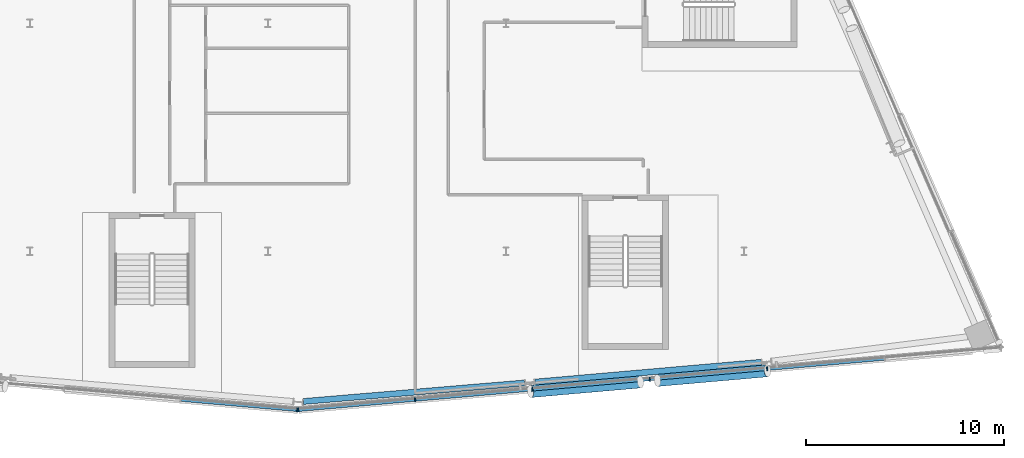
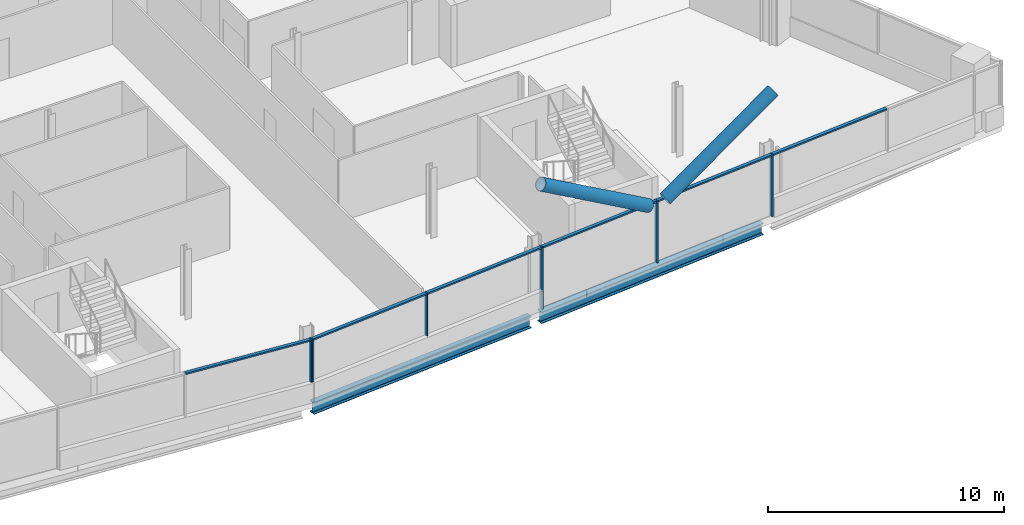
# One storey, part 8 of 26: 14 members, 2 beams, 2 elements without a shape of their own.
"""IFC4 building model written with IfcOpenShell, lengths in metres."""

from ifc_helpers import new_model, si_unit, direction, frame, origin, origin_2d, place, context, subcontext, project, spatial, rectangle, hollow_circle, i_section, extrude, material, material_profile, profile_set, type_object, element, aggregate, save


model = new_model("IFC4")

# Units and contexts
model_context = context("Model", 3, precision=1e-05, world=origin(), true_north=direction((0.0, 1.0)))
body_context = subcontext(model_context, "Body", "Model", "MODEL_VIEW")
ifc_project = project(units=[si_unit("LENGTHUNIT", "METRE"), si_unit("AREAUNIT", "SQUARE_METRE"), si_unit("VOLUMEUNIT", "CUBIC_METRE"), si_unit("PLANEANGLEUNIT", "RADIAN"), si_unit("MASSUNIT", "GRAM", prefix="KILO")], contexts=[model_context])

# Site, building, storey
site_placement = place(None, origin())
site = spatial("IfcSite", under=ifc_project, at=site_placement, CompositionType="ELEMENT")
building_placement = place(site_placement, origin())
building = spatial("IfcBuilding", under=site, at=building_placement, Name="Wharfspan Tower", CompositionType="ELEMENT")
storey_placement = place(building_placement, frame((0.0, 0.0, 235.899902)))
storey = spatial("IfcBuildingStorey", under=building, at=storey_placement, Name="L59", CompositionType="ELEMENT", Elevation=235.899902)

# Beams
ifc_material_1 = material(Name="Steel S355J2", Category="steel")
ifc_material_profile_1 = material_profile(ifc_material_1, i_section(OverallWidth=0.300049, OverallDepth=0.600098, WebThickness=0.015381, FlangeThickness=0.030029, FilletRadius=0.0271, at=origin_2d()))
ifc_profile_set_1 = profile_set([ifc_material_profile_1], Name="Steel S355J2")
beam_type = type_object("IfcBeamType", Name="Edge beam HEB 600", PredefinedType="SPANDREL", material=ifc_profile_set_1)
beam_1_placement = place(storey_placement, frame((49.783691, 3.923828, -0.699951), z_axis=(0.996517, 0.083395, 0.0), x_axis=(-0.083395, 0.996517, 0.0)))
element("IfcBeam", 1, at=beam_1_placement, inside=storey, type_object=beam_type, Name="Edge beam S2 L59 PS1.3 to PS2.1", PredefinedType="SPANDREL", context=body_context, shape_type="SweptSolid", body=[
    extrude(i_section(OverallWidth=0.300049, OverallDepth=0.600098, WebThickness=0.015381, FlangeThickness=0.030029, FilletRadius=0.0271, at=origin_2d()), origin(), (0.0, 0.0, 1.0), 11.200684),
])
beam_2_placement = place(storey_placement, frame((61.459473, 4.901855, -0.699951), z_axis=(0.996195, 0.087157, 0.0), x_axis=(-0.087157, 0.996195, 0.0)))
element("IfcBeam", 2, at=beam_2_placement, inside=storey, type_object=beam_type, Name="Edge beam S2 L59 PS2.1 to PS2.2", PredefinedType="SPANDREL", context=body_context, shape_type="SweptSolid", body=[
    extrude(i_section(OverallWidth=0.300049, OverallDepth=0.600098, WebThickness=0.015381, FlangeThickness=0.030029, FilletRadius=0.0271, at=origin_2d()), origin(), (0.0, 0.0, 1.0), 11.462402),
])

# Curtain wall, member
ifc_material_2 = material(Name="Aluminium 6063-T6", Category="aluminium")
curtain_wall_type = type_object("IfcCurtainWallType", Name="CURTAIN WALL FACETED FRONT", PredefinedType="NOTDEFINED", material=ifc_material_2)
curtain_wall_1_placement = place(storey_placement, origin())
curtain_wall_1 = element("IfcCurtainWall", 3, at=curtain_wall_1_placement, inside=storey, type_object=curtain_wall_type, Name="Curtain wall S1", PredefinedType="NOTDEFINED")
ifc_material_profile_2 = material_profile(ifc_material_2, rectangle(XDim=0.199951, YDim=0.060059, at=origin_2d()))
ifc_profile_set_2 = profile_set([ifc_material_profile_2], Name="Aluminium 6063-T6")
member_type_1 = type_object("IfcMemberType", Name="MULLION FACETED FRONT 60x200", PredefinedType="MULLION", material=ifc_profile_set_2)
member_1_placement = place(storey_placement, frame((49.470215, 3.496826, 1.0), z_axis=(0.0, 0.0, 1.0), x_axis=(0.087156, 0.996197, 0.0)))
member_1 = element("IfcMember", 4, at=member_1_placement, type_object=member_type_1, Name="Curtain wall S1 mullion 6", PredefinedType="MULLION", context=body_context, shape_type="SweptSolid", body=[
    extrude(rectangle(XDim=0.199951, YDim=0.060059, at=origin_2d()), origin(), (0.0, 0.0, 1.0), 2.200195),
])

# Curtain wall, members
curtain_wall_2_placement = place(storey_placement, origin())
curtain_wall_2 = element("IfcCurtainWall", 5, at=curtain_wall_2_placement, inside=storey, type_object=curtain_wall_type, Name="Curtain wall S2", PredefinedType="NOTDEFINED")
member_2_placement = place(storey_placement, frame((49.529785, 3.496826, 1.0), z_axis=(0.0, 0.0, 1.0), x_axis=(-0.087156, 0.996197, 0.0)))
member_2 = element("IfcMember", 6, at=member_2_placement, type_object=member_type_1, Name="Curtain wall S2 mullion 1", PredefinedType="MULLION", context=body_context, shape_type="SweptSolid", body=[
    extrude(rectangle(XDim=0.199951, YDim=0.060059, at=origin_2d()), origin(), (0.0, 0.0, 1.0), 2.200195),
])
member_3_placement = place(storey_placement, frame((55.416748, 4.011719, 1.0), z_axis=(0.0, 0.0, 1.0), x_axis=(-0.087156, 0.996197, 0.0)))
member_3 = element("IfcMember", 7, at=member_3_placement, type_object=member_type_1, Name="Curtain wall S2 mullion 2", PredefinedType="MULLION", context=body_context, shape_type="SweptSolid", body=[
    extrude(rectangle(XDim=0.199951, YDim=0.060059, at=origin_2d()), origin(), (0.0, 0.0, 1.0), 2.200195),
])
member_4_placement = place(storey_placement, frame((61.333252, 4.529541, 0.0), z_axis=(0.0, 0.0, 1.0), x_axis=(-0.087156, 0.996197, 0.0)))
member_4 = element("IfcMember", 8, at=member_4_placement, type_object=member_type_1, Name="Curtain wall S2 mullion 3", PredefinedType="MULLION", context=body_context, shape_type="SweptSolid", body=[
    extrude(rectangle(XDim=0.199951, YDim=0.060059, at=origin_2d()), origin(), (0.0, 0.0, 1.0), 3.200195),
])
member_5_placement = place(storey_placement, frame((67.25, 5.047119, 0.0), z_axis=(0.0, 0.0, 1.0), x_axis=(-0.087156, 0.996197, 0.0)))
member_5 = element("IfcMember", 9, at=member_5_placement, type_object=member_type_1, Name="Curtain wall S2 mullion 4", PredefinedType="MULLION", context=body_context, shape_type="SweptSolid", body=[
    extrude(rectangle(XDim=0.199951, YDim=0.060059, at=origin_2d()), origin(), (0.0, 0.0, 1.0), 3.200195),
])
member_6_placement = place(storey_placement, frame((73.166748, 5.564697, 0.0), z_axis=(0.0, 0.0, 1.0), x_axis=(-0.087156, 0.996197, 0.0)))
member_6 = element("IfcMember", 10, at=member_6_placement, type_object=member_type_1, Name="Curtain wall S2 mullion 5", PredefinedType="MULLION", context=body_context, shape_type="SweptSolid", body=[
    extrude(rectangle(XDim=0.199951, YDim=0.060059, at=origin_2d()), origin(), (0.0, 0.0, 1.0), 3.200195),
])

# Members
ifc_material_3 = material(Name="Steel S460NH", Category="steel")
ifc_material_profile_3 = material_profile(ifc_material_3, hollow_circle(Radius=0.304932, WallThickness=0.024902, at=origin_2d()))
ifc_profile_set_3 = profile_set([ifc_material_profile_3], Name="Steel S460NH")
member_type_2 = type_object("IfcMemberType", Name="Mega brace CHS 610x25", PredefinedType="BRACE", material=ifc_profile_set_3)
for number, where, z_axis, x_axis, name in (
    (11, (67.638428, 4.985596, 3.159424), (0.853829, 0.074698, 0.515166), (-0.087155, 0.996197, 3e-06), "Mega brace S2 L59 part 2"),
    (12, (66.778564, 4.9104, 3.159424), (-0.853829, -0.074698, 0.515166), (0.087155, -0.996197, 3e-06), "Mega brace S2 L59 part 4"),
):
    element("IfcMember", number, at=place(storey_placement, frame(where, z_axis=z_axis, x_axis=x_axis)), inside=storey, type_object=member_type_2, Name=name, PredefinedType="BRACE", context=body_context, shape_type="SweptSolid", body=[
        extrude(hollow_circle(Radius=0.304932, WallThickness=0.024902, at=origin_2d()), origin(), (0.0, 0.0, 1.0), 6.484375),
    ])

# Member
ifc_material_profile_4 = material_profile(ifc_material_2, rectangle(XDim=0.159912, YDim=0.080078, at=origin_2d()))
ifc_profile_set_4 = profile_set([ifc_material_profile_4], Name="Aluminium 6063-T6")
member_type_3 = type_object("IfcMemberType", Name="TRANSOM FACETED FRONT 80x160", PredefinedType="USERDEFINED", material=ifc_profile_set_4)
member_7_placement = place(storey_placement, frame((43.629883, 4.007812, 3.160156), z_axis=(0.996192, -0.087191, 0.0), x_axis=(0.087191, 0.996192, 0.0)))
member_7 = element("IfcMember", 13, at=member_7_placement, type_object=member_type_3, Name="Curtain wall S1 transom 5", ObjectType="TRANSOM", PredefinedType="USERDEFINED", context=body_context, shape_type="SweptSolid", body=[
    extrude(rectangle(XDim=0.159912, YDim=0.080078, at=origin_2d()), origin(), (0.0, 0.0, 1.0), 5.83252),
])

aggregate(curtain_wall_1, [member_1, member_7])

member_8_placement = place(storey_placement, frame((49.559814, 3.499268, 3.160156), z_axis=(0.996191, 0.087193, 0.0), x_axis=(-0.087193, 0.996191, 0.0)))
member_8 = element("IfcMember", 14, at=member_8_placement, type_object=member_type_3, Name="Curtain wall S2 transom 1", ObjectType="TRANSOM", PredefinedType="USERDEFINED", context=body_context, shape_type="SweptSolid", body=[
    extrude(rectangle(XDim=0.159912, YDim=0.080078, at=origin_2d()), origin(), (0.0, 0.0, 1.0), 5.849121),
])

member_9_placement = place(storey_placement, frame((55.446533, 4.014404, 3.160156), z_axis=(0.996194, 0.087162, 0.0), x_axis=(-0.087162, 0.996194, 0.0)))
member_9 = element("IfcMember", 15, at=member_9_placement, type_object=member_type_3, Name="Curtain wall S2 transom 2", ObjectType="TRANSOM", PredefinedType="USERDEFINED", context=body_context, shape_type="SweptSolid", body=[
    extrude(rectangle(XDim=0.159912, YDim=0.080078, at=origin_2d()), origin(), (0.0, 0.0, 1.0), 5.879395),
])

member_10_placement = place(storey_placement, frame((61.363281, 4.531982, 3.160156), z_axis=(0.996194, 0.087162, 0.0), x_axis=(-0.087162, 0.996194, 0.0)))
member_10 = element("IfcMember", 16, at=member_10_placement, type_object=member_type_3, Name="Curtain wall S2 transom 3", ObjectType="TRANSOM", PredefinedType="USERDEFINED", context=body_context, shape_type="SweptSolid", body=[
    extrude(rectangle(XDim=0.159912, YDim=0.080078, at=origin_2d()), origin(), (0.0, 0.0, 1.0), 5.879395),
])

member_11_placement = place(storey_placement, frame((67.279785, 5.049805, 3.160156), z_axis=(0.996198, 0.087121, 0.0), x_axis=(-0.087121, 0.996198, 0.0)))
member_11 = element("IfcMember", 17, at=member_11_placement, type_object=member_type_3, Name="Curtain wall S2 transom 4", ObjectType="TRANSOM", PredefinedType="USERDEFINED", context=body_context, shape_type="SweptSolid", body=[
    extrude(rectangle(XDim=0.159912, YDim=0.080078, at=origin_2d()), origin(), (0.0, 0.0, 1.0), 5.879395),
])

member_12_placement = place(storey_placement, frame((73.196533, 5.567383, 3.160156), z_axis=(0.996194, 0.087162, 0.0), x_axis=(-0.087162, 0.996194, 0.0)))
member_12 = element("IfcMember", 18, at=member_12_placement, type_object=member_type_3, Name="Curtain wall S2 transom 5", ObjectType="TRANSOM", PredefinedType="USERDEFINED", context=body_context, shape_type="SweptSolid", body=[
    extrude(rectangle(XDim=0.159912, YDim=0.080078, at=origin_2d()), origin(), (0.0, 0.0, 1.0), 5.879395),
])

aggregate(curtain_wall_2, [member_2, member_3, member_4, member_5, member_6, member_8, member_9, member_10, member_11, member_12])

save(model, "model.ifc")
